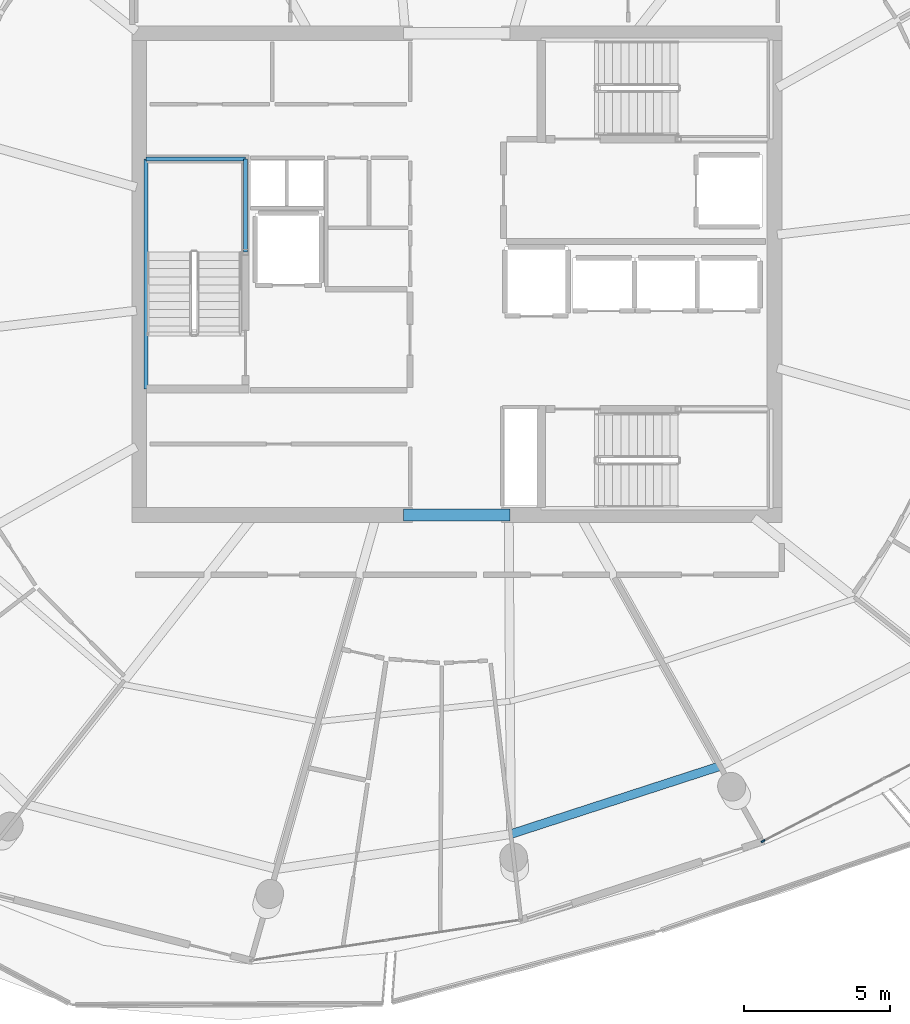
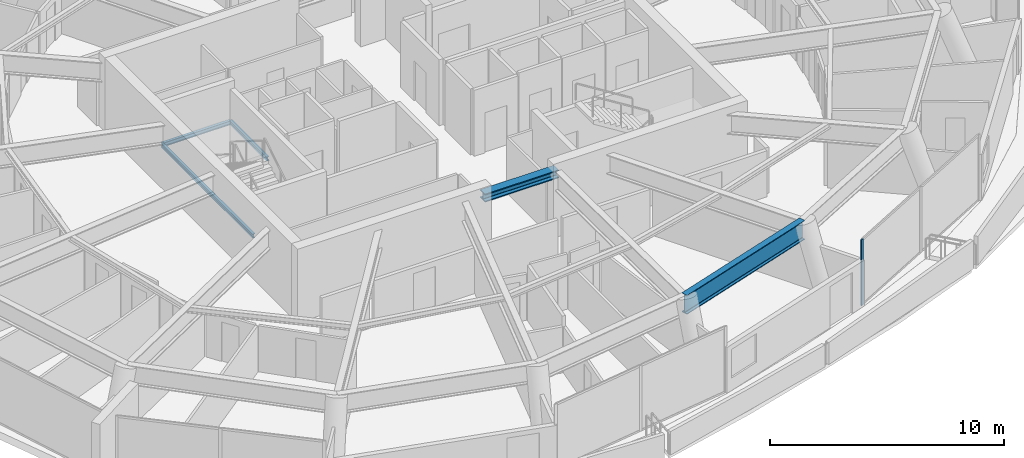
# One storey, part 7 of 24: 5 beams, 1 member, 1 element without a shape of its own.
"""IFC4 building model written with IfcOpenShell, lengths in metres."""

from ifc_helpers import new_model, si_unit, direction, frame, origin, origin_2d, place, context, subcontext, project, spatial, rectangle, i_section, extrude, material, layer, layer_set, material_profile, profile_set, type_object, element, aggregate, save


model = new_model("IFC4")

# Units and contexts
model_context = context("Model", 3, precision=1e-05, world=origin(), true_north=direction((0.0, 1.0)))
body_context = subcontext(model_context, "Body", "Model", "MODEL_VIEW")
ifc_project = project(units=[si_unit("LENGTHUNIT", "METRE"), si_unit("AREAUNIT", "SQUARE_METRE"), si_unit("VOLUMEUNIT", "CUBIC_METRE"), si_unit("PLANEANGLEUNIT", "RADIAN"), si_unit("MASSUNIT", "GRAM", prefix="KILO")], contexts=[model_context])

# Site, building, storey
site_placement = place(None, origin())
site = spatial("IfcSite", under=ifc_project, at=site_placement, CompositionType="ELEMENT")
building_placement = place(site_placement, origin())
building = spatial("IfcBuilding", under=site, at=building_placement, Name="Kazma Halo Residences", CompositionType="ELEMENT")
storey_placement = place(building_placement, frame((0.0, 0.0, 309.85009765625)))
storey = spatial("IfcBuildingStorey", under=building, at=storey_placement, Name="L78", CompositionType="ELEMENT", Elevation=309.85009765625)

# Beams
ifc_material_1 = material(Name="Steel S355", Category="steel")
ifc_material_profile_1 = material_profile(ifc_material_1, i_section(OverallWidth=0.408935546875, OverallDepth=0.425048828125, WebThickness=0.03271484375, FlangeThickness=0.052490234375, FilletRadius=0.02001953125, at=origin_2d()), Name="W360x421")
ifc_profile_set_1 = profile_set([ifc_material_profile_1], Name="Steel S355")
beam_type_1 = type_object("IfcBeamType", Name="BM-CORE-W360H", PredefinedType="BEAM", material=ifc_profile_set_1)
beam_1_placement = place(storey_placement, frame((46.60009765625, 33.75, 3.2373046875), z_axis=(1.0, 0.0, 0.0), x_axis=(0.0, 1.0, 0.0)))
element("IfcBeam", 1, at=beam_1_placement, inside=storey, type_object=beam_type_1, Name="L78 core coupling beam S", PredefinedType="BEAM", context=body_context, shape_type="SweptSolid", body=[
    extrude(i_section(OverallWidth=0.408935546875, OverallDepth=0.425048828125, WebThickness=0.03271484375, FlangeThickness=0.052490234375, FilletRadius=0.02001953125, at=origin_2d()), origin(), (0.0, 0.0, 1.0), 3.64990234375),
])
ifc_material_profile_2 = material_profile(ifc_material_1, i_section(OverallWidth=0.300048828125, OverallDepth=1.0, WebThickness=0.01904296875, FlangeThickness=0.0400390625, FilletRadius=0.02587890625, at=origin_2d()), Name="W1000x371")
ifc_profile_set_2 = profile_set([ifc_material_profile_2], Name="Steel S355")
beam_type_2 = type_object("IfcBeamType", Name="BM-TRANS-W1000B", PredefinedType="BEAM", material=ifc_profile_set_2)
beam_2_placement = place(storey_placement, frame((50.27001953125, 22.82080078125, 2.949951171875), z_axis=(0.951056684666, 0.309016476183, 0.0), x_axis=(-0.309016476183, 0.951056684666, 0.0)))
element("IfcBeam", 2, at=beam_2_placement, inside=storey, type_object=beam_type_2, Name="L78 perimeter ring beam 12", PredefinedType="BEAM", context=body_context, shape_type="SweptSolid", body=[
    extrude(i_section(OverallWidth=0.300048828125, OverallDepth=1.0, WebThickness=0.01904296875, FlangeThickness=0.0400390625, FilletRadius=0.02587890625, at=origin_2d()), origin(), (0.0, 0.0, 1.0), 7.53564453125),
])
ifc_material_profile_3 = material_profile(ifc_material_1, i_section(OverallWidth=0.133056640625, OverallDepth=0.20703125, WebThickness=0.005859375, FlangeThickness=0.00830078125, FilletRadius=0.010009765625, at=origin_2d()), Name="W200x26.6")
ifc_profile_set_3 = profile_set([ifc_material_profile_3], Name="Steel S355")
beam_type_3 = type_object("IfcBeamType", Name="BM-TRIM-W200", PredefinedType="BEAM", material=ifc_profile_set_3)
beam_3_placement = place(storey_placement, frame((37.780029296875, 38.06005859375, 1.619873046875), z_axis=(0.0, 1.0, 0.0), x_axis=(-1.0, 0.0, 0.0)))
element("IfcBeam", 3, at=beam_3_placement, inside=storey, type_object=beam_type_3, Name="L78 ST-01 landing west wall ledger", PredefinedType="BEAM", context=body_context, shape_type="SweptSolid", body=[
    extrude(i_section(OverallWidth=0.133056640625, OverallDepth=0.20703125, WebThickness=0.005859375, FlangeThickness=0.00830078125, FilletRadius=0.010009765625, at=origin_2d()), origin(), (0.0, 0.0, 1.0), 7.8798828125),
])
beam_4_placement = place(storey_placement, frame((41.179931640625, 42.75, 1.619873046875), z_axis=(0.0, 1.0, 0.0), x_axis=(-1.0, 0.0, 0.0)))
element("IfcBeam", 4, at=beam_4_placement, inside=storey, type_object=beam_type_3, Name="L78 ST-01 landing east wall ledger", PredefinedType="BEAM", context=body_context, shape_type="SweptSolid", body=[
    extrude(i_section(OverallWidth=0.133056640625, OverallDepth=0.20703125, WebThickness=0.005859375, FlangeThickness=0.00830078125, FilletRadius=0.010009765625, at=origin_2d()), origin(), (0.0, 0.0, 1.0), 3.18994140625),
])
beam_5_placement = place(storey_placement, frame((37.780029296875, 45.93994140625, 1.619873046875), z_axis=(1.0, 0.0, 0.0), x_axis=(0.0, 1.0, 0.0)))
element("IfcBeam", 5, at=beam_5_placement, inside=storey, type_object=beam_type_3, Name="L78 ST-01 landing end wall ledger", PredefinedType="BEAM", context=body_context, shape_type="SweptSolid", body=[
    extrude(i_section(OverallWidth=0.133056640625, OverallDepth=0.20703125, WebThickness=0.005859375, FlangeThickness=0.00830078125, FilletRadius=0.010009765625, at=origin_2d()), origin(), (0.0, 0.0, 1.0), 3.39990234375),
])

# Curtain wall, member
ifc_material_2 = material(Name="Aluminium AW-6063 T6 and Triple-Silver Low-E Glass", Category="aluminium")
ifc_layer = layer(ifc_material_2, 0.139892578125)
ifc_layer_set = layer_set([ifc_layer], Name="Aluminium AW-6063 T6 and Triple-Silver Low-E Glass")
curtain_wall_type = type_object("IfcCurtainWallType", Name="CW-SYS-5", PredefinedType="NOTDEFINED", material=ifc_layer_set)
curtain_wall_placement = place(storey_placement, origin())
curtain_wall = element("IfcCurtainWall", 6, at=curtain_wall_placement, inside=storey, type_object=curtain_wall_type, Name="L78 unitised curtain wall B13", PredefinedType="NOTDEFINED")
ifc_material_3 = material(Name="Aluminium AW-6063 T6", Category="aluminium")
ifc_material_profile_4 = material_profile(ifc_material_3, rectangle(XDim=0.06005859375, YDim=0.139892578125, at=origin_2d()), Name="CWM-60x140")
ifc_profile_set_4 = profile_set([ifc_material_profile_4], Name="Aluminium AW-6063 T6")
member_type = type_object("IfcMemberType", Name="CW-SYS-5-MUL", PredefinedType="MULLION", material=ifc_profile_set_4)
member_placement = place(storey_placement, frame((58.910400390625, 22.57958984375, 0.0), z_axis=(0.0, 0.0, 1.0), x_axis=(-0.460859157438, 0.887473288052, 0.0)))
member = element("IfcMember", 7, at=member_placement, type_object=member_type, Name="CWS-5 mullion 1", PredefinedType="MULLION", context=body_context, shape_type="SweptSolid", body=[
    extrude(rectangle(XDim=0.06005859375, YDim=0.139892578125, at=origin_2d()), origin(), (0.0, 0.0, 1.0), 3.449951171875),
])
aggregate(curtain_wall, [member])

save(model, "model.ifc")
